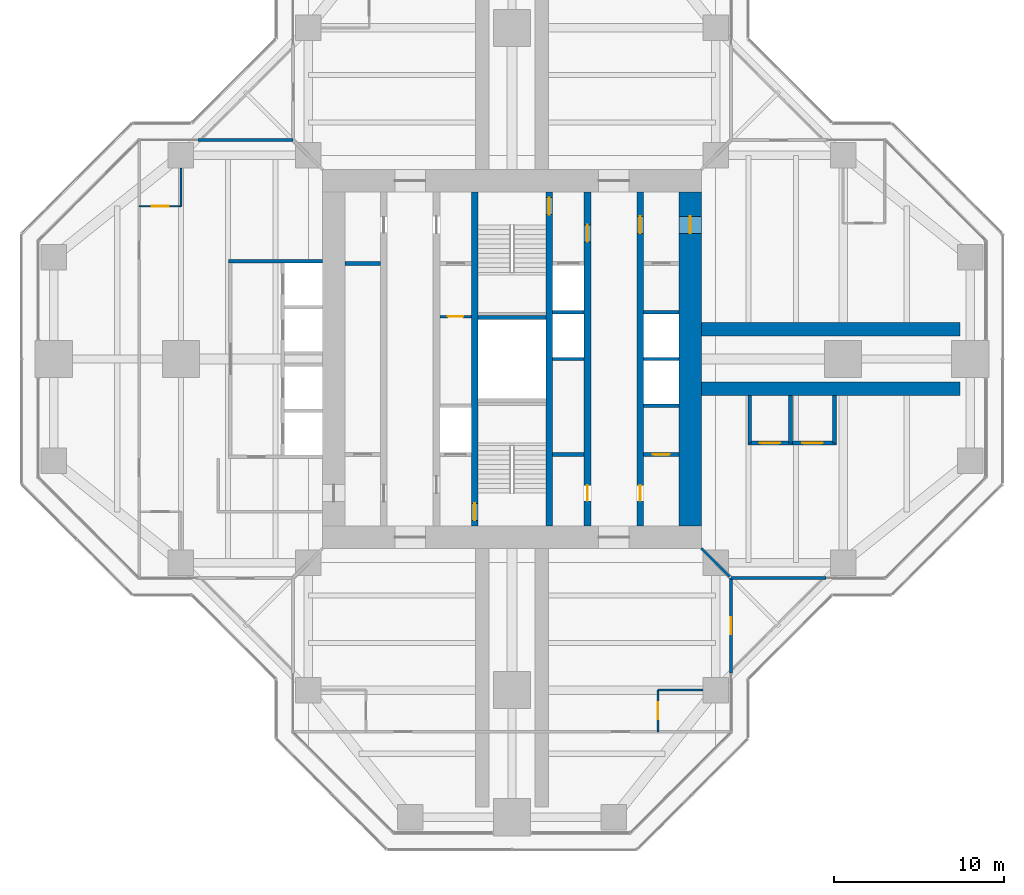
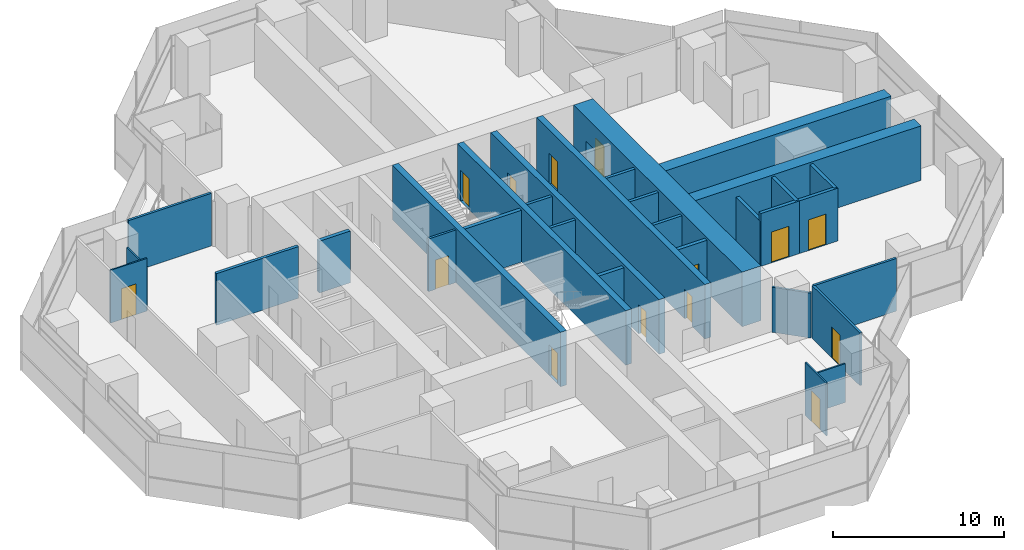
# One storey, part 14 of 17: 31 walls, 14 doors, 14 openings.
"""IFC4 building model written with IfcOpenShell, lengths in metres."""

from ifc_helpers import new_model, si_unit, direction, frame, frame_2d, origin, place, context, subcontext, project, spatial, rectangle, extrude, material, layer, layer_set, type_object, element, fill, save


model = new_model("IFC4")

# Units and contexts
model_context = context("Model", 3, precision=1e-05, world=origin(), true_north=direction((0.0, 1.0)))
body_context = subcontext(model_context, "Body", "Model", "MODEL_VIEW")
ifc_project = project(units=[si_unit("LENGTHUNIT", "METRE"), si_unit("AREAUNIT", "SQUARE_METRE"), si_unit("VOLUMEUNIT", "CUBIC_METRE"), si_unit("PLANEANGLEUNIT", "RADIAN"), si_unit("MASSUNIT", "GRAM", prefix="KILO")], contexts=[model_context])

# Site, building, storey
site_placement = place(None, origin())
site = spatial("IfcSite", under=ifc_project, at=site_placement, CompositionType="ELEMENT")
building_placement = place(site_placement, origin())
building = spatial("IfcBuilding", under=site, at=building_placement, Name="Mizan Broadcast Tower", CompositionType="ELEMENT")
storey_placement = place(building_placement, frame((0.0, 0.0, 243.89990234375)))
storey = spatial("IfcBuildingStorey", under=building, at=storey_placement, Name="L57", CompositionType="ELEMENT", Elevation=243.89990234375)

# Wall, openings, doors
ifc_material_1 = material(Name="Concrete C70/85", Category="concrete")
ifc_layer_1 = layer(ifc_material_1, 0.39990234375)
ifc_layer_set_1 = layer_set([ifc_layer_1], Name="Concrete C70/85")
wall_type_1 = type_object("IfcWallType", Name="CORE INTERNAL WALL 400", PredefinedType="SHEAR", material=ifc_layer_set_1)
wall_1_placement = place(storey_placement, frame((7.550048828125, 9.85009765625, 0.0), z_axis=(0.0, 0.0, 1.0), x_axis=(0.0, -1.0, 0.0)))
wall_1 = element("IfcWall", 1, at=wall_1_placement, inside=storey, type_object=wall_type_1, Name="Core wall CORE/XW1E", PredefinedType="SHEAR", context=body_context, shape_type="SweptSolid", body=[
    extrude(rectangle(XDim=19.7001953125, YDim=0.39990234375, at=frame_2d((9.85009765625, 0.0))), origin(), (0.0, 0.0, 1.0), 3.900146484375),
])
opening_1_placement = place(wall_1_placement, frame((1.449951171875, 0.0, 0.0)))
opening_1 = element("IfcOpeningElement", 2, at=opening_1_placement, cuts=wall_1, Name="Opening D10F", PredefinedType="OPENING", context=body_context, shape_type="SweptSolid", body=[
    extrude(rectangle(XDim=1.0, YDim=2.199951171875, at=frame_2d((0.5, 1.10009765625))), frame((0.0, 0.2099609375, 0.0), z_axis=(0.0, -1.0, 0.0), x_axis=(1.0, 0.0, 0.0)), (0.0, 0.0, 1.0), 0.419921875),
])
opening_2_placement = place(wall_1_placement, frame((17.300048828125, 0.0, 0.0)))
opening_2 = element("IfcOpeningElement", 3, at=opening_2_placement, cuts=wall_1, Name="Opening D09", PredefinedType="OPENING", context=body_context, shape_type="SweptSolid", body=[
    extrude(rectangle(XDim=0.89990234375, YDim=2.10009765625, at=frame_2d((0.449951171875, 1.050048828125))), frame((0.0, 0.2099609375, 0.0), z_axis=(0.0, -1.0, 0.0), x_axis=(1.0, 0.0, 0.0)), (0.0, 0.0, 1.0), 0.419921875),
])
ifc_material_2 = material(Name="Steel door leaf in steel frame", Category="steel")
door_type_1 = type_object("IfcDoorType", Name="FIRE DOOR 1000 FD90", OperationType="SINGLE_SWING_LEFT", PredefinedType="DOOR", material=ifc_material_2)
door_1_placement = place(opening_1_placement, origin())
door_1 = element("IfcDoor", 4, at=door_1_placement, inside=storey, type_object=door_type_1, Name="East core passage door", OperationType="SINGLE_SWING_LEFT", OverallHeight=2.199951171875, OverallWidth=1.0, PredefinedType="DOOR", context=body_context, shape_type="SweptSolid", body=[
    extrude(rectangle(XDim=1.0, YDim=2.199951171875, at=frame_2d((0.5, 1.10009765625))), frame((0.0, 0.02490234375, 0.0), z_axis=(0.0, -1.0, 0.0), x_axis=(1.0, 0.0, 0.0)), (0.0, 0.0, 1.0), 0.050048828125),
])
fill(opening_1, door_1)
ifc_material_3 = material(Name="Timber door leaf in aluminium frame", Category="wood")
door_type_2 = type_object("IfcDoorType", Name="TOILET DOOR 900", OperationType="SINGLE_SWING_LEFT", PredefinedType="DOOR", material=ifc_material_3)
door_2_placement = place(opening_2_placement, origin())
door_2 = element("IfcDoor", 5, at=door_2_placement, inside=storey, type_object=door_type_2, Name="Female WC door", OperationType="SINGLE_SWING_RIGHT", OverallHeight=2.10009765625, OverallWidth=0.89990234375, PredefinedType="DOOR", context=body_context, shape_type="SweptSolid", body=[
    extrude(rectangle(XDim=0.89990234375, YDim=2.10009765625, at=frame_2d((0.449951171875, 1.050048828125))), frame((0.0, 0.02490234375, 0.0), z_axis=(0.0, -1.0, 0.0), x_axis=(1.0, 0.0, 0.0)), (0.0, 0.0, 1.0), 0.050048828125),
])
fill(opening_2, door_2)

wall_2_placement = place(storey_placement, frame((4.449951171875, 9.85009765625, 0.0), z_axis=(0.0, 0.0, 1.0), x_axis=(0.0, -1.0, 0.0)))
wall_2 = element("IfcWall", 6, at=wall_2_placement, inside=storey, type_object=wall_type_1, Name="Core wall CORE/XWHE", PredefinedType="SHEAR", context=body_context, shape_type="SweptSolid", body=[
    extrude(rectangle(XDim=19.7001953125, YDim=0.39990234375, at=frame_2d((9.85009765625, 0.0))), origin(), (0.0, 0.0, 1.0), 3.900146484375),
])
opening_3_placement = place(wall_2_placement, frame((1.949951171875, 0.0, 0.0)))
opening_3 = element("IfcOpeningElement", 7, at=opening_3_placement, cuts=wall_2, Name="Opening D10F", PredefinedType="OPENING", context=body_context, shape_type="SweptSolid", body=[
    extrude(rectangle(XDim=1.0, YDim=2.199951171875, at=frame_2d((0.5, 1.10009765625))), frame((0.0, 0.2099609375, 0.0), z_axis=(0.0, -1.0, 0.0), x_axis=(1.0, 0.0, 0.0)), (0.0, 0.0, 1.0), 0.419921875),
])
opening_4_placement = place(wall_2_placement, frame((17.300048828125, 0.0, 0.0)))
opening_4 = element("IfcOpeningElement", 8, at=opening_4_placement, cuts=wall_2, Name="Opening D09", PredefinedType="OPENING", context=body_context, shape_type="SweptSolid", body=[
    extrude(rectangle(XDim=0.89990234375, YDim=2.10009765625, at=frame_2d((0.449951171875, 1.050048828125))), frame((0.0, 0.2099609375, 0.0), z_axis=(0.0, -1.0, 0.0), x_axis=(1.0, 0.0, 0.0)), (0.0, 0.0, 1.0), 0.419921875),
])
door_3_placement = place(opening_3_placement, origin())
door_3 = element("IfcDoor", 9, at=door_3_placement, inside=storey, type_object=door_type_1, Name="Firefighting lobby B door", OperationType="SINGLE_SWING_LEFT", OverallHeight=2.199951171875, OverallWidth=1.0, PredefinedType="DOOR", context=body_context, shape_type="SweptSolid", body=[
    extrude(rectangle(XDim=1.0, YDim=2.199951171875, at=frame_2d((0.5, 1.10009765625))), frame((0.0, 0.02490234375, 0.0), z_axis=(0.0, -1.0, 0.0), x_axis=(1.0, 0.0, 0.0)), (0.0, 0.0, 1.0), 0.050048828125),
])
fill(opening_3, door_3)
door_4_placement = place(opening_4_placement, origin())
door_4 = element("IfcDoor", 10, at=door_4_placement, inside=storey, type_object=door_type_2, Name="Cleaner's store door", OperationType="SINGLE_SWING_RIGHT", OverallHeight=2.10009765625, OverallWidth=0.89990234375, PredefinedType="DOOR", context=body_context, shape_type="SweptSolid", body=[
    extrude(rectangle(XDim=0.89990234375, YDim=2.10009765625, at=frame_2d((0.449951171875, 1.050048828125))), frame((0.0, 0.02490234375, 0.0), z_axis=(0.0, -1.0, 0.0), x_axis=(1.0, 0.0, 0.0)), (0.0, 0.0, 1.0), 0.050048828125),
])
fill(opening_4, door_4)

# Wall, opening, door
wall_3_placement = place(storey_placement, frame((-2.199951171875, -9.85009765625, 0.0), z_axis=(0.0, 0.0, 1.0), x_axis=(0.0, 1.0, 0.0)))
wall_3 = element("IfcWall", 11, at=wall_3_placement, inside=storey, type_object=wall_type_1, Name="Core wall CORE/XW2", PredefinedType="SHEAR", context=body_context, shape_type="SweptSolid", body=[
    extrude(rectangle(XDim=19.7001953125, YDim=0.39990234375, at=frame_2d((9.85009765625, 0.0))), origin(), (0.0, 0.0, 1.0), 3.900146484375),
])
opening_5_placement = place(wall_3_placement, frame((0.35009765625, 0.0, 0.0)))
opening_5 = element("IfcOpeningElement", 12, at=opening_5_placement, cuts=wall_3, Name="Opening D10S", PredefinedType="OPENING", context=body_context, shape_type="SweptSolid", body=[
    extrude(rectangle(XDim=1.0, YDim=2.199951171875, at=frame_2d((0.5, 1.10009765625))), frame((0.0, 0.2099609375, 0.0), z_axis=(0.0, -1.0, 0.0), x_axis=(1.0, 0.0, 0.0)), (0.0, 0.0, 1.0), 0.419921875),
])
ifc_material_4 = material(Name="Steel door leaf in steel frame", Category="steel")
door_type_3 = type_object("IfcDoorType", Name="STAIR DOOR 1000 FD90S", OperationType="SINGLE_SWING_RIGHT", PredefinedType="DOOR", material=ifc_material_4)
door_5_placement = place(opening_5_placement, origin())
door_5 = element("IfcDoor", 13, at=door_5_placement, inside=storey, type_object=door_type_3, Name="Stair A door", OperationType="SINGLE_SWING_RIGHT", OverallHeight=2.199951171875, OverallWidth=1.0, PredefinedType="DOOR", context=body_context, shape_type="SweptSolid", body=[
    extrude(rectangle(XDim=1.0, YDim=2.199951171875, at=frame_2d((0.5, 1.10009765625))), frame((0.0, 0.02490234375, 0.0), z_axis=(0.0, -1.0, 0.0), x_axis=(1.0, 0.0, 0.0)), (0.0, 0.0, 1.0), 0.050048828125),
])
fill(opening_5, door_5)

wall_4_placement = place(storey_placement, frame((2.199951171875, 9.85009765625, 0.0), z_axis=(0.0, 0.0, 1.0), x_axis=(0.0, -1.0, 0.0)))
wall_4 = element("IfcWall", 14, at=wall_4_placement, inside=storey, type_object=wall_type_1, Name="Core wall CORE/XW2E", PredefinedType="SHEAR", context=body_context, shape_type="SweptSolid", body=[
    extrude(rectangle(XDim=19.7001953125, YDim=0.39990234375, at=frame_2d((9.85009765625, 0.0))), origin(), (0.0, 0.0, 1.0), 3.900146484375),
])
opening_6_placement = place(wall_4_placement, frame((0.35009765625, 0.0, 0.0)))
opening_6 = element("IfcOpeningElement", 15, at=opening_6_placement, cuts=wall_4, Name="Opening D10S", PredefinedType="OPENING", context=body_context, shape_type="SweptSolid", body=[
    extrude(rectangle(XDim=1.0, YDim=2.199951171875, at=frame_2d((0.5, 1.10009765625))), frame((0.0, 0.2099609375, 0.0), z_axis=(0.0, -1.0, 0.0), x_axis=(1.0, 0.0, 0.0)), (0.0, 0.0, 1.0), 0.419921875),
])
door_6_placement = place(opening_6_placement, origin())
door_6 = element("IfcDoor", 16, at=door_6_placement, inside=storey, type_object=door_type_3, Name="Stair B door", OperationType="SINGLE_SWING_RIGHT", OverallHeight=2.199951171875, OverallWidth=1.0, PredefinedType="DOOR", context=body_context, shape_type="SweptSolid", body=[
    extrude(rectangle(XDim=1.0, YDim=2.199951171875, at=frame_2d((0.5, 1.10009765625))), frame((0.0, 0.02490234375, 0.0), z_axis=(0.0, -1.0, 0.0), x_axis=(1.0, 0.0, 0.0)), (0.0, 0.0, 1.0), 0.050048828125),
])
fill(opening_6, door_6)

ifc_material_5 = material(Name="Concrete blockwork", Category="masonry")
ifc_layer_2 = layer(ifc_material_5, 0.14990234375)
ifc_layer_set_2 = layer_set([ifc_layer_2], Name="Concrete blockwork")
wall_type_2 = type_object("IfcWallType", Name="CORE PARTITION 150", PredefinedType="SOLIDWALL", material=ifc_layer_set_2)
wall_5_placement = place(storey_placement, frame((-4.25, 2.5, 0.0), z_axis=(0.0, 0.0, 1.0), x_axis=(1.0, 0.0, 0.0)))
wall_5 = element("IfcWall", 17, at=wall_5_placement, inside=storey, type_object=wall_type_2, Name="Core partition CORE/XP2", PredefinedType="SOLIDWALL", context=body_context, shape_type="SweptSolid", body=[
    extrude(rectangle(XDim=1.85009765625, YDim=0.14990234375, at=frame_2d((0.925048828125, 0.0))), origin(), (0.0, 0.0, 1.0), 3.77001953125),
])
opening_7_placement = place(wall_5_placement, frame((0.47509765625, 0.0, 0.0)))
opening_7 = element("IfcOpeningElement", 18, at=opening_7_placement, cuts=wall_5, Name="Opening D09F", PredefinedType="OPENING", context=body_context, shape_type="SweptSolid", body=[
    extrude(rectangle(XDim=0.89990234375, YDim=2.10009765625, at=frame_2d((0.449951171875, 1.050048828125))), frame((0.0, 0.0849609375, 0.0), z_axis=(0.0, -1.0, 0.0), x_axis=(1.0, 0.0, 0.0)), (0.0, 0.0, 1.0), 0.169921875),
])
ifc_material_6 = material(Name="Steel door leaf in steel frame", Category="steel")
door_type_4 = type_object("IfcDoorType", Name="CORE ROOM DOOR 900 FD90", OperationType="SINGLE_SWING_LEFT", PredefinedType="DOOR", material=ifc_material_6)
door_7_placement = place(opening_7_placement, origin())
door_7 = element("IfcDoor", 19, at=door_7_placement, inside=storey, type_object=door_type_4, Name="Shower store door", OperationType="SINGLE_SWING_RIGHT", OverallHeight=2.10009765625, OverallWidth=0.89990234375, PredefinedType="DOOR", context=body_context, shape_type="SweptSolid", body=[
    extrude(rectangle(XDim=0.89990234375, YDim=2.10009765625, at=frame_2d((0.449951171875, 1.050048828125))), frame((0.0, 0.02490234375, 0.0), z_axis=(0.0, -1.0, 0.0), x_axis=(1.0, 0.0, 0.0)), (0.0, 0.0, 1.0), 0.050048828125),
])
fill(opening_7, door_7)

ifc_material_7 = material(Name="Concrete C70/85", Category="concrete")
ifc_layer_3 = layer(ifc_material_7, 1.300048828125)
ifc_layer_set_3 = layer_set([ifc_layer_3], Name="Concrete C70/85")
wall_type_3 = type_object("IfcWallType", Name="CORE WALL 1300", PredefinedType="SHEAR", material=ifc_layer_set_3)
wall_6_placement = place(storey_placement, frame((10.5, -9.85009765625, 0.0), z_axis=(0.0, 0.0, 1.0), x_axis=(0.0, 1.0, 0.0)))
wall_6 = element("IfcWall", 20, at=wall_6_placement, inside=storey, type_object=wall_type_3, Name="Core wall E L57", PredefinedType="SHEAR", context=body_context, shape_type="SweptSolid", body=[
    extrude(rectangle(XDim=19.7001953125, YDim=1.300048828125, at=frame_2d((9.85009765625, 0.0))), origin(), (0.0, 0.0, 1.0), 3.900146484375),
])
opening_8_placement = place(wall_6_placement, frame((17.25, 0.0, 0.0)))
opening_8 = element("IfcOpeningElement", 21, at=opening_8_placement, cuts=wall_6, Name="Opening D10F", PredefinedType="OPENING", context=body_context, shape_type="SweptSolid", body=[
    extrude(rectangle(XDim=1.0, YDim=2.199951171875, at=frame_2d((0.5, 1.10009765625))), frame((0.0, 0.659912109375, 0.0), z_axis=(0.0, -1.0, 0.0), x_axis=(1.0, 0.0, 0.0)), (0.0, 0.0, 1.0), 1.320068359375),
])
door_8_placement = place(opening_8_placement, origin())
door_8 = element("IfcDoor", 22, at=door_8_placement, inside=storey, type_object=door_type_1, Name="East core passage arm door", OperationType="SINGLE_SWING_RIGHT", OverallHeight=2.199951171875, OverallWidth=1.0, PredefinedType="DOOR", context=body_context, shape_type="SweptSolid", body=[
    extrude(rectangle(XDim=1.0, YDim=2.199951171875, at=frame_2d((0.5, 1.10009765625))), frame((0.0, 0.02490234375, 0.0), z_axis=(0.0, -1.0, 0.0), x_axis=(1.0, 0.0, 0.0)), (0.0, 0.0, 1.0), 0.050048828125),
])
fill(opening_8, door_8)

# Walls
ifc_material_8 = material(Name="Aluminium framed glazed screen", Category="aluminium")
ifc_layer_4 = layer(ifc_material_8, 0.159912109375)
ifc_layer_set_4 = layer_set([ifc_layer_4], Name="Aluminium framed glazed screen")
wall_type_4 = type_object("IfcWallType", Name="GLAZED SCREEN WALL 160", PredefinedType="SOLIDWALL", material=ifc_layer_set_4)
for number, where, z_axis, x_axis, name in (
    (23, (12.89990234375, -12.89990234375, 0.0), (0.0, 0.0, 1.0), (1.0, 0.0, 0.0), "Winter garden screen L57 E"),
    (24, (-12.89990234375, 12.89990234375, 0.0), (0.0, 0.0, 1.0), (-1.0, 0.0, 0.0), "Winter garden screen L57 W"),
):
    element("IfcWall", number, at=place(storey_placement, frame(where, z_axis=z_axis, x_axis=x_axis)), inside=storey, type_object=wall_type_4, Name=name, PredefinedType="SOLIDWALL", context=body_context, shape_type="SweptSolid", body=[
        extrude(rectangle(XDim=5.60009765625, YDim=0.159912109375, at=frame_2d((2.800048828125, 0.0))), origin(), (0.0, 0.0, 1.0), 3.77001953125),
    ])

# Wall, opening, door
wall_7_placement = place(storey_placement, frame((12.89990234375, -18.5, 0.0), z_axis=(0.0, 0.0, 1.0), x_axis=(0.0, 1.0, 0.0)))
wall_7 = element("IfcWall", 25, at=wall_7_placement, inside=storey, type_object=wall_type_4, Name="Winter garden screen L57 S", PredefinedType="SOLIDWALL", context=body_context, shape_type="SweptSolid", body=[
    extrude(rectangle(XDim=5.60009765625, YDim=0.159912109375, at=frame_2d((2.800048828125, 0.0))), origin(), (0.0, 0.0, 1.0), 3.77001953125),
])
opening_9_placement = place(wall_7_placement, frame((2.300048828125, 0.0, 0.0)))
opening_9 = element("IfcOpeningElement", 26, at=opening_9_placement, cuts=wall_7, Name="Opening WGD", PredefinedType="OPENING", context=body_context, shape_type="SweptSolid", body=[
    extrude(rectangle(XDim=1.0, YDim=2.199951171875, at=frame_2d((0.5, 1.10009765625))), frame((0.0, 0.08984375, 0.0), z_axis=(0.0, -1.0, 0.0), x_axis=(1.0, 0.0, 0.0)), (0.0, 0.0, 1.0), 0.179931640625),
])
ifc_material_9 = material(Name="Aluminium framed glazed door", Category="aluminium")
door_type_5 = type_object("IfcDoorType", Name="WINTER GARDEN DOOR 1000 GLAZED", OperationType="SINGLE_SWING_LEFT", PredefinedType="DOOR", material=ifc_material_9)
door_9_placement = place(opening_9_placement, origin())
door_9 = element("IfcDoor", 27, at=door_9_placement, inside=storey, type_object=door_type_5, Name="Winter garden door L57 S", OperationType="SINGLE_SWING_RIGHT", OverallHeight=2.199951171875, OverallWidth=1.0, PredefinedType="DOOR", context=body_context, shape_type="SweptSolid", body=[
    extrude(rectangle(XDim=1.0, YDim=2.199951171875, at=frame_2d((0.5, 1.10009765625))), frame((0.0, 0.02490234375, 0.0), z_axis=(0.0, -1.0, 0.0), x_axis=(1.0, 0.0, 0.0)), (0.0, 0.0, 1.0), 0.050048828125),
])
fill(opening_9, door_9)

# Walls
ifc_material_10 = material(Name="Concrete blockwork", Category="masonry")
ifc_layer_5 = layer(ifc_material_10, 0.199951171875)
ifc_layer_set_5 = layer_set([ifc_layer_5], Name="Concrete blockwork")
wall_type_5 = type_object("IfcWallType", Name="LIFT SHAFT WALL 200", PredefinedType="SOLIDWALL", material=ifc_layer_set_5)
wall_8_placement = place(storey_placement, frame((7.75, -2.75, 0.0), z_axis=(0.0, 0.0, 1.0), x_axis=(1.0, 0.0, 0.0)))
element("IfcWall", 28, at=wall_8_placement, inside=storey, type_object=wall_type_5, Name="Lift shaft wall CORE/SE1-1", PredefinedType="SOLIDWALL", context=body_context, shape_type="SweptSolid", body=[
    extrude(rectangle(XDim=2.10009765625, YDim=0.199951171875, at=frame_2d((1.050048828125, 0.0))), origin(), (0.0, 0.0, 1.0), 3.7001953125),
])
wall_9_placement = place(storey_placement, frame((2.39990234375, 0.0, 0.0), z_axis=(0.0, 0.0, 1.0), x_axis=(1.0, 0.0, 0.0)))
element("IfcWall", 29, at=wall_9_placement, inside=storey, type_object=wall_type_5, Name="Lift shaft wall CORE/SE2-2", PredefinedType="SOLIDWALL", context=body_context, shape_type="SweptSolid", body=[
    extrude(rectangle(XDim=1.85009765625, YDim=0.199951171875, at=frame_2d((0.925048828125, 0.0))), origin(), (0.0, 0.0, 1.0), 3.7001953125),
])
wall_10_placement = place(storey_placement, frame((7.75, 0.0, 0.0), z_axis=(0.0, 0.0, 1.0), x_axis=(1.0, 0.0, 0.0)))
element("IfcWall", 30, at=wall_10_placement, inside=storey, type_object=wall_type_5, Name="Lift shaft wall CORE/SE1-2", PredefinedType="SOLIDWALL", context=body_context, shape_type="SweptSolid", body=[
    extrude(rectangle(XDim=2.10009765625, YDim=0.199951171875, at=frame_2d((1.050048828125, 0.0))), origin(), (0.0, 0.0, 1.0), 3.7001953125),
])
wall_11_placement = place(storey_placement, frame((2.39990234375, 2.75, 0.0), z_axis=(0.0, 0.0, 1.0), x_axis=(1.0, 0.0, 0.0)))
element("IfcWall", 31, at=wall_11_placement, inside=storey, type_object=wall_type_5, Name="Lift shaft wall CORE/SE2-3", PredefinedType="SOLIDWALL", context=body_context, shape_type="SweptSolid", body=[
    extrude(rectangle(XDim=1.85009765625, YDim=0.199951171875, at=frame_2d((0.925048828125, 0.0))), origin(), (0.0, 0.0, 1.0), 3.7001953125),
])
wall_12_placement = place(storey_placement, frame((7.75, 2.75, 0.0), z_axis=(0.0, 0.0, 1.0), x_axis=(1.0, 0.0, 0.0)))
element("IfcWall", 32, at=wall_12_placement, inside=storey, type_object=wall_type_5, Name="Lift shaft wall CORE/SE1-3", PredefinedType="SOLIDWALL", context=body_context, shape_type="SweptSolid", body=[
    extrude(rectangle(XDim=2.10009765625, YDim=0.199951171875, at=frame_2d((1.050048828125, 0.0))), origin(), (0.0, 0.0, 1.0), 3.7001953125),
])
wall_13_placement = place(storey_placement, frame((-11.14990234375, 5.75, 0.0), z_axis=(0.0, 0.0, 1.0), x_axis=(-1.0, 0.0, 0.0)))
element("IfcWall", 33, at=wall_13_placement, inside=storey, type_object=wall_type_5, Name="Lift shaft wall LC/S1", PredefinedType="SOLIDWALL", context=body_context, shape_type="SweptSolid", body=[
    extrude(rectangle(XDim=5.550048828125, YDim=0.199951171875, at=frame_2d((2.77490234375, 0.0))), origin(), (0.0, 0.0, 1.0), 3.7001953125),
])
ifc_material_11 = material(Name="Concrete blockwork", Category="masonry")
ifc_layer_6 = layer(ifc_material_11, 0.25)
ifc_layer_set_6 = layer_set([ifc_layer_6], Name="Concrete blockwork")
wall_type_6 = type_object("IfcWallType", Name="LOBBY ENCLOSURE WALL 250", PredefinedType="SOLIDWALL", material=ifc_layer_set_6)
wall_14_placement = place(storey_placement, frame((-9.85009765625, 5.625, 0.0), z_axis=(0.0, 0.0, 1.0), x_axis=(1.0, 0.0, 0.0)))
element("IfcWall", 34, at=wall_14_placement, inside=storey, type_object=wall_type_6, Name="Lobby enclosure wall CORE/BW1N", PredefinedType="SOLIDWALL", context=body_context, shape_type="SweptSolid", body=[
    extrude(rectangle(XDim=2.10009765625, YDim=0.25, at=frame_2d((1.050048828125, 0.0))), origin(), (0.0, 0.0, 1.0), 3.7001953125),
])
wall_15_placement = place(storey_placement, frame((2.39990234375, -5.625, 0.0), z_axis=(0.0, 0.0, 1.0), x_axis=(1.0, 0.0, 0.0)))
element("IfcWall", 35, at=wall_15_placement, inside=storey, type_object=wall_type_6, Name="Lobby enclosure wall CORE/BE2S", PredefinedType="SOLIDWALL", context=body_context, shape_type="SweptSolid", body=[
    extrude(rectangle(XDim=1.85009765625, YDim=0.25, at=frame_2d((0.925048828125, 0.0))), origin(), (0.0, 0.0, 1.0), 3.7001953125),
])

# Wall, opening, door
wall_16_placement = place(storey_placement, frame((7.75, -5.625, 0.0), z_axis=(0.0, 0.0, 1.0), x_axis=(1.0, 0.0, 0.0)))
wall_16 = element("IfcWall", 36, at=wall_16_placement, inside=storey, type_object=wall_type_6, Name="Lobby enclosure wall CORE/BE1S", PredefinedType="SOLIDWALL", context=body_context, shape_type="SweptSolid", body=[
    extrude(rectangle(XDim=2.10009765625, YDim=0.25, at=frame_2d((1.050048828125, 0.0))), origin(), (0.0, 0.0, 1.0), 3.7001953125),
])
opening_10_placement = place(wall_16_placement, frame((0.550048828125, 0.0, 0.0)))
opening_10 = element("IfcOpeningElement", 37, at=opening_10_placement, cuts=wall_16, Name="Opening D10F", PredefinedType="OPENING", context=body_context, shape_type="SweptSolid", body=[
    extrude(rectangle(XDim=1.0, YDim=2.199951171875, at=frame_2d((0.5, 1.10009765625))), frame((0.0, 0.135009765625, 0.0), z_axis=(0.0, -1.0, 0.0), x_axis=(1.0, 0.0, 0.0)), (0.0, 0.0, 1.0), 0.27001953125),
])
door_10_placement = place(opening_10_placement, origin())
door_10 = element("IfcDoor", 38, at=door_10_placement, inside=storey, type_object=door_type_1, Name="Staff locker room door", OperationType="SINGLE_SWING_LEFT", OverallHeight=2.199951171875, OverallWidth=1.0, PredefinedType="DOOR", context=body_context, shape_type="SweptSolid", body=[
    extrude(rectangle(XDim=1.0, YDim=2.199951171875, at=frame_2d((0.5, 1.10009765625))), frame((0.0, 0.02490234375, 0.0), z_axis=(0.0, -1.0, 0.0), x_axis=(1.0, 0.0, 0.0)), (0.0, 0.0, 1.0), 0.050048828125),
])
fill(opening_10, door_10)

# Walls
wall_17_placement = place(storey_placement, frame((-2.0, 2.449951171875, 0.0), z_axis=(0.0, 0.0, 1.0), x_axis=(1.0, 0.0, 0.0)))
element("IfcWall", 39, at=wall_17_placement, inside=storey, type_object=wall_type_6, Name="Lobby enclosure wall CORE/STB", PredefinedType="SOLIDWALL", context=body_context, shape_type="SweptSolid", body=[
    extrude(rectangle(XDim=4.0, YDim=0.25, at=frame_2d((2.0, 0.0))), origin(), (0.0, 0.0, 1.0), 3.7001953125),
])
ifc_material_12 = material(Name="Gypsum board on steel studs", Category="steel")
ifc_layer_7 = layer(ifc_material_12, 0.14990234375)
ifc_layer_set_7 = layer_set([ifc_layer_7], Name="Gypsum board on steel studs")
wall_type_7 = type_object("IfcWallType", Name="PARTITION 150", PredefinedType="PARTITIONING", material=ifc_layer_set_7)
wall_18_placement = place(storey_placement, frame((11.14990234375, -11.14990234375, 0.0), z_axis=(0.0, 0.0, 1.0), x_axis=(0.707106781187, -0.707106781187, 0.0)))
element("IfcWall", 40, at=wall_18_placement, inside=storey, type_object=wall_type_7, Name="Partition PT/DGES", PredefinedType="PARTITIONING", context=body_context, shape_type="SweptSolid", body=[
    extrude(rectangle(XDim=2.362060546875, YDim=0.14990234375, at=frame_2d((1.18115234375, 0.0))), origin(), (0.0, 0.0, 1.0), 3.22021484375),
])
ifc_material_13 = material(Name="Twin steel stud acoustic partition, four layers of gypsum board", Category="steel")
ifc_layer_8 = layer(ifc_material_13, 0.22509765625)
ifc_layer_set_8 = layer_set([ifc_layer_8], Name="Twin steel stud acoustic partition, four layers of gypsum board")
wall_type_8 = type_object("IfcWallType", Name="PARTITION ACOUSTIC 225", PredefinedType="PARTITIONING", material=ifc_layer_set_8)
wall_19_placement = place(storey_placement, frame((14.0, -2.14990234375, 0.0), z_axis=(0.0, 0.0, 1.0), x_axis=(0.0, -1.0, 0.0)))
element("IfcWall", 41, at=wall_19_placement, inside=storey, type_object=wall_type_8, Name="Acoustic partition PT/EKN0a", PredefinedType="PARTITIONING", context=body_context, shape_type="SweptSolid", body=[
    extrude(rectangle(XDim=2.800048828125, YDim=0.22509765625, at=frame_2d((1.39990234375, 0.0))), origin(), (0.0, 0.0, 1.0), 3.18017578125),
])
wall_20_placement = place(storey_placement, frame((16.39990234375, -2.14990234375, 0.0), z_axis=(0.0, 0.0, 1.0), x_axis=(0.0, -1.0, 0.0)))
element("IfcWall", 42, at=wall_20_placement, inside=storey, type_object=wall_type_8, Name="Acoustic partition PT/EKN0b", PredefinedType="PARTITIONING", context=body_context, shape_type="SweptSolid", body=[
    extrude(rectangle(XDim=2.800048828125, YDim=0.22509765625, at=frame_2d((1.39990234375, 0.0))), origin(), (0.0, 0.0, 1.0), 3.77001953125),
])

# Wall, opening, door
wall_21_placement = place(storey_placement, frame((13.887451171875, -4.949951171875, 0.0), z_axis=(0.0, 0.0, 1.0), x_axis=(1.0, 0.0, 0.0)))
wall_21 = element("IfcWall", 43, at=wall_21_placement, inside=storey, type_object=wall_type_8, Name="Acoustic partition PT/EKN0f", PredefinedType="PARTITIONING", context=body_context, shape_type="SweptSolid", body=[
    extrude(rectangle(XDim=2.625, YDim=0.22509765625, at=frame_2d((1.3125, 0.0))), origin(), (0.0, 0.0, 1.0), 3.77001953125),
])
opening_11_placement = place(wall_21_placement, frame((0.71240234375, 0.0, 0.0)))
opening_11 = element("IfcOpeningElement", 44, at=opening_11_placement, cuts=wall_21, Name="Opening D12A", PredefinedType="OPENING", context=body_context, shape_type="SweptSolid", body=[
    extrude(rectangle(XDim=1.199951171875, YDim=2.199951171875, at=frame_2d((0.60009765625, 1.10009765625))), frame((0.0, 0.12255859375, 0.0), z_axis=(0.0, -1.0, 0.0), x_axis=(1.0, 0.0, 0.0)), (0.0, 0.0, 1.0), 0.2451171875),
])
ifc_material_14 = material(Name="Timber door leaf in aluminium frame", Category="wood")
door_type_6 = type_object("IfcDoorType", Name="ACOUSTIC DOOR 1200", OperationType="SINGLE_SWING_LEFT", PredefinedType="DOOR", material=ifc_material_14)
door_11_placement = place(opening_11_placement, origin())
door_11 = element("IfcDoor", 45, at=door_11_placement, inside=storey, type_object=door_type_6, Name="Translation booth door", OperationType="SINGLE_SWING_LEFT", OverallHeight=2.199951171875, OverallWidth=1.199951171875, PredefinedType="DOOR", context=body_context, shape_type="SweptSolid", body=[
    extrude(rectangle(XDim=1.199951171875, YDim=2.199951171875, at=frame_2d((0.60009765625, 1.10009765625))), frame((0.0, 0.02490234375, 0.0), z_axis=(0.0, -1.0, 0.0), x_axis=(1.0, 0.0, 0.0)), (0.0, 0.0, 1.0), 0.050048828125),
])
fill(opening_11, door_11)

# Wall
wall_22_placement = place(storey_placement, frame((19.0, -2.14990234375, 0.0), z_axis=(0.0, 0.0, 1.0), x_axis=(0.0, -1.0, 0.0)))
element("IfcWall", 46, at=wall_22_placement, inside=storey, type_object=wall_type_8, Name="Acoustic partition PT/EKN1b", PredefinedType="PARTITIONING", context=body_context, shape_type="SweptSolid", body=[
    extrude(rectangle(XDim=2.800048828125, YDim=0.22509765625, at=frame_2d((1.39990234375, 0.0))), origin(), (0.0, 0.0, 1.0), 3.77001953125),
])

# Wall, opening, door
wall_23_placement = place(storey_placement, frame((16.512451171875, -4.949951171875, 0.0), z_axis=(0.0, 0.0, 1.0), x_axis=(1.0, 0.0, 0.0)))
wall_23 = element("IfcWall", 47, at=wall_23_placement, inside=storey, type_object=wall_type_8, Name="Acoustic partition PT/EKN1f", PredefinedType="PARTITIONING", context=body_context, shape_type="SweptSolid", body=[
    extrude(rectangle(XDim=2.60009765625, YDim=0.22509765625, at=frame_2d((1.300048828125, 0.0))), origin(), (0.0, 0.0, 1.0), 3.77001953125),
])
opening_12_placement = place(wall_23_placement, frame((0.58740234375, 0.0, 0.0)))
opening_12 = element("IfcOpeningElement", 48, at=opening_12_placement, cuts=wall_23, Name="Opening D12A", PredefinedType="OPENING", context=body_context, shape_type="SweptSolid", body=[
    extrude(rectangle(XDim=1.199951171875, YDim=2.199951171875, at=frame_2d((0.60009765625, 1.10009765625))), frame((0.0, 0.12255859375, 0.0), z_axis=(0.0, -1.0, 0.0), x_axis=(1.0, 0.0, 0.0)), (0.0, 0.0, 1.0), 0.2451171875),
])
door_12_placement = place(opening_12_placement, origin())
door_12 = element("IfcDoor", 49, at=door_12_placement, inside=storey, type_object=door_type_6, Name="Translation booth door", OperationType="SINGLE_SWING_LEFT", OverallHeight=2.199951171875, OverallWidth=1.199951171875, PredefinedType="DOOR", context=body_context, shape_type="SweptSolid", body=[
    extrude(rectangle(XDim=1.199951171875, YDim=2.199951171875, at=frame_2d((0.60009765625, 1.10009765625))), frame((0.0, 0.02490234375, 0.0), z_axis=(0.0, -1.0, 0.0), x_axis=(1.0, 0.0, 0.0)), (0.0, 0.0, 1.0), 0.050048828125),
])
fill(opening_12, door_12)

ifc_material_15 = material(Name="Glazed aluminium partition on aluminium track", Category="aluminium")
ifc_layer_9 = layer(ifc_material_15, 0.10009765625)
ifc_layer_set_9 = layer_set([ifc_layer_9], Name="Glazed aluminium partition on aluminium track")
wall_type_9 = type_object("IfcWallType", Name="PARTITION GLAZED OFFICE FRONT 100", PredefinedType="PARTITIONING", material=ifc_layer_set_9)
wall_24_placement = place(storey_placement, frame((-19.5, 9.0, 0.0), z_axis=(0.0, 0.0, 1.0), x_axis=(-1.0, 0.0, 0.0)))
wall_24 = element("IfcWall", 50, at=wall_24_placement, inside=storey, type_object=wall_type_9, Name="Glazed office front PT/WCN0", PredefinedType="PARTITIONING", context=body_context, shape_type="SweptSolid", body=[
    extrude(rectangle(XDim=2.458984375, YDim=0.10009765625, at=frame_2d((1.2294921875, 0.0))), origin(), (0.0, 0.0, 1.0), 3.77001953125),
])
opening_13_placement = place(wall_24_placement, frame((0.7294921875, 0.0, 0.0)))
opening_13 = element("IfcOpeningElement", 51, at=opening_13_placement, cuts=wall_24, Name="Opening D10O", PredefinedType="OPENING", context=body_context, shape_type="SweptSolid", body=[
    extrude(rectangle(XDim=1.0, YDim=2.199951171875, at=frame_2d((0.5, 1.10009765625))), frame((0.0, 0.06005859375, 0.0), z_axis=(0.0, -1.0, 0.0), x_axis=(1.0, 0.0, 0.0)), (0.0, 0.0, 1.0), 0.1201171875),
])
ifc_material_16 = material(Name="Timber door leaf in aluminium frame", Category="wood")
door_type_7 = type_object("IfcDoorType", Name="OFFICE DOOR 1000 GLAZED", OperationType="SINGLE_SWING_LEFT", PredefinedType="DOOR", material=ifc_material_16)
door_13_placement = place(opening_13_placement, origin())
door_13 = element("IfcDoor", 52, at=door_13_placement, inside=storey, type_object=door_type_7, Name="Pantry door", OperationType="SINGLE_SWING_LEFT", OverallHeight=2.199951171875, OverallWidth=1.0, PredefinedType="DOOR", context=body_context, shape_type="SweptSolid", body=[
    extrude(rectangle(XDim=1.0, YDim=2.199951171875, at=frame_2d((0.5, 1.10009765625))), frame((0.0, 0.02490234375, 0.0), z_axis=(0.0, -1.0, 0.0), x_axis=(1.0, 0.0, 0.0)), (0.0, 0.0, 1.0), 0.050048828125),
])
fill(opening_13, door_13)

# Wall
wall_25_placement = place(storey_placement, frame((-19.5, 9.0, 0.0), z_axis=(0.0, 0.0, 1.0), x_axis=(0.0, 1.0, 0.0)))
element("IfcWall", 53, at=wall_25_placement, inside=storey, type_object=wall_type_9, Name="Glazed office front PT/WQN1950", PredefinedType="PARTITIONING", context=body_context, shape_type="SweptSolid", body=[
    extrude(rectangle(XDim=2.25, YDim=0.10009765625, at=frame_2d((1.125, 0.0))), origin(), (0.0, 0.0, 1.0), 3.18017578125),
])

# Wall, opening, door
wall_26_placement = place(storey_placement, frame((8.60009765625, -19.5, 0.0), z_axis=(0.0, 0.0, 1.0), x_axis=(0.0, -1.0, 0.0)))
wall_26 = element("IfcWall", 54, at=wall_26_placement, inside=storey, type_object=wall_type_9, Name="Glazed office front PT/SCP0", PredefinedType="PARTITIONING", context=body_context, shape_type="SweptSolid", body=[
    extrude(rectangle(XDim=2.458984375, YDim=0.10009765625, at=frame_2d((1.2294921875, 0.0))), origin(), (0.0, 0.0, 1.0), 3.77001953125),
])
opening_14_placement = place(wall_26_placement, frame((0.7294921875, 0.0, 0.0)))
opening_14 = element("IfcOpeningElement", 55, at=opening_14_placement, cuts=wall_26, Name="Opening D10O", PredefinedType="OPENING", context=body_context, shape_type="SweptSolid", body=[
    extrude(rectangle(XDim=1.0, YDim=2.199951171875, at=frame_2d((0.5, 1.10009765625))), frame((0.0, 0.06005859375, 0.0), z_axis=(0.0, -1.0, 0.0), x_axis=(1.0, 0.0, 0.0)), (0.0, 0.0, 1.0), 0.1201171875),
])
door_14_placement = place(opening_14_placement, origin())
door_14 = element("IfcDoor", 56, at=door_14_placement, inside=storey, type_object=door_type_7, Name="Correspondent's office door", OperationType="SINGLE_SWING_LEFT", OverallHeight=2.199951171875, OverallWidth=1.0, PredefinedType="DOOR", context=body_context, shape_type="SweptSolid", body=[
    extrude(rectangle(XDim=1.0, YDim=2.199951171875, at=frame_2d((0.5, 1.10009765625))), frame((0.0, 0.02490234375, 0.0), z_axis=(0.0, -1.0, 0.0), x_axis=(1.0, 0.0, 0.0)), (0.0, 0.0, 1.0), 0.050048828125),
])
fill(opening_14, door_14)

# Walls
wall_27_placement = place(storey_placement, frame((8.60009765625, -19.5, 0.0), z_axis=(0.0, 0.0, 1.0), x_axis=(1.0, 0.0, 0.0)))
element("IfcWall", 57, at=wall_27_placement, inside=storey, type_object=wall_type_9, Name="Glazed office front PT/SQP1950", PredefinedType="PARTITIONING", context=body_context, shape_type="SweptSolid", body=[
    extrude(rectangle(XDim=2.64990234375, YDim=0.10009765625, at=frame_2d((1.324951171875, 0.0))), origin(), (0.0, 0.0, 1.0), 2.77001953125),
])
ifc_material_17 = material(Name="Concrete C70/85", Category="concrete")
ifc_layer_10 = layer(ifc_material_17, 0.800048828125)
ifc_layer_set_10 = layer_set([ifc_layer_10], Name="Concrete C70/85")
wall_type_10 = type_object("IfcWallType", Name="SPINE WALL 800", PredefinedType="SHEAR", material=ifc_layer_set_10)
for number, where, z_axis, x_axis, name in (
    (58, (11.14990234375, -1.75, 0.0), (0.0, 0.0, 1.0), (1.0, 0.0, 0.0), "Spine wall ER L57"),
    (59, (11.14990234375, 1.75, 0.0), (0.0, 0.0, 1.0), (1.0, 0.0, 0.0), "Spine wall EL L57"),
):
    element("IfcWall", number, at=place(storey_placement, frame(where, z_axis=z_axis, x_axis=x_axis)), inside=storey, type_object=wall_type_10, Name=name, PredefinedType="SHEAR", context=body_context, shape_type="SweptSolid", body=[
        extrude(rectangle(XDim=15.25, YDim=0.800048828125, at=frame_2d((7.625, 0.0))), origin(), (0.0, 0.0, 1.0), 3.900146484375),
    ])

save(model, "model.ifc")
